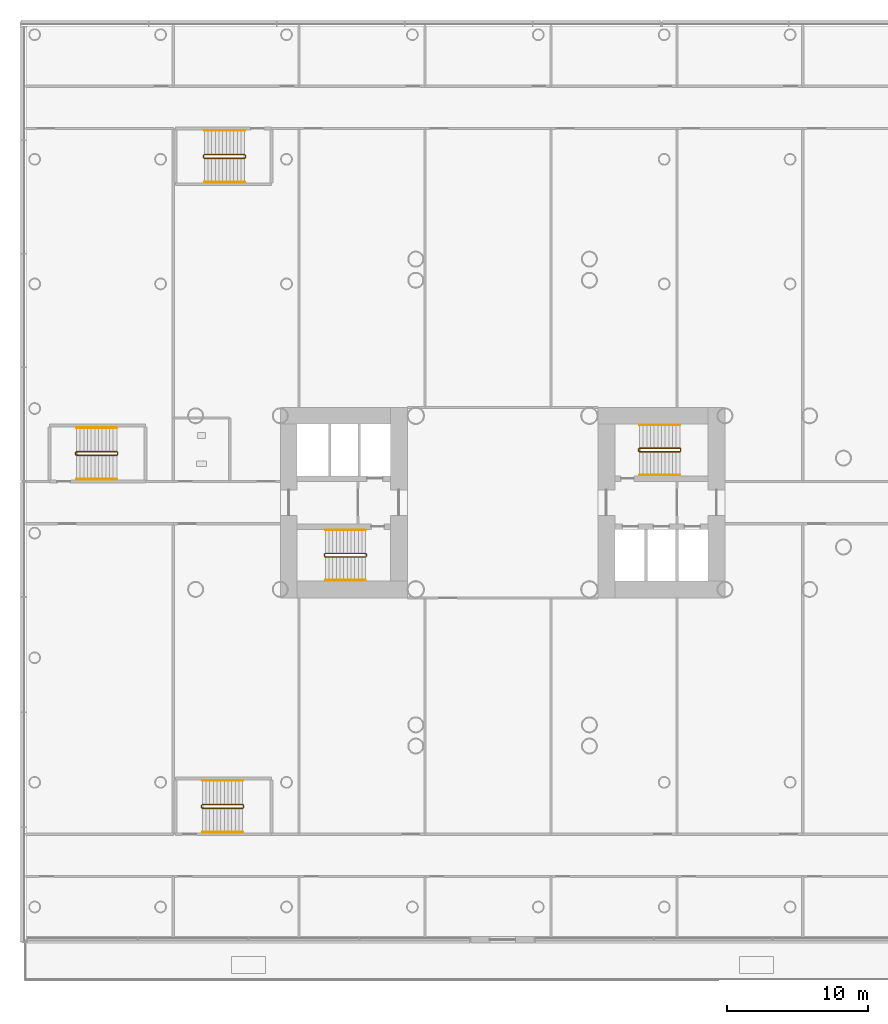
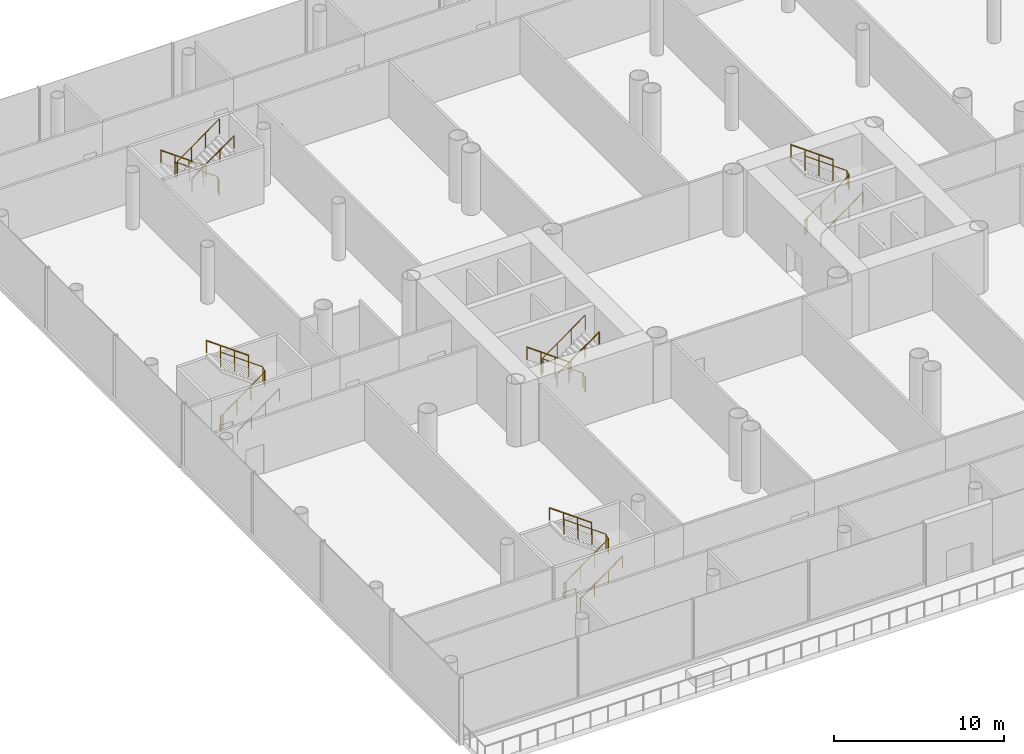
# One storey, part 46 of 49: 15 railings.
"""IFC4 building model written with IfcOpenShell, lengths in metres."""

from ifc_helpers import new_model, si_unit, direction, frame, origin, origin_2d, place, context, subcontext, project, spatial, circle, extrude, material, type_object, element, save


model = new_model("IFC4")

# Units and contexts
model_context = context("Model", 3, precision=1e-05, world=origin(), true_north=direction((0.0, 1.0)))
body_context = subcontext(model_context, "Body", "Model", "MODEL_VIEW")
ifc_project = project(units=[si_unit("LENGTHUNIT", "METRE"), si_unit("AREAUNIT", "SQUARE_METRE"), si_unit("VOLUMEUNIT", "CUBIC_METRE"), si_unit("PLANEANGLEUNIT", "RADIAN"), si_unit("MASSUNIT", "GRAM", prefix="KILO")], contexts=[model_context])

# Site, building, storey
site_placement = place(None, origin())
site = spatial("IfcSite", under=ifc_project, at=site_placement, CompositionType="ELEMENT")
building_placement = place(site_placement, origin())
building = spatial("IfcBuilding", under=site, at=building_placement, Name="Ipe Terrace Towers", CompositionType="ELEMENT")
storey_placement = place(building_placement, frame((0.0, 0.0, 20.0)))
storey = spatial("IfcBuildingStorey", under=building, at=storey_placement, Name="L04", CompositionType="ELEMENT", Elevation=20.0)

# Railings
ifc_material_1 = material(Name="Steel S355", Category="steel")
railing_type_1 = type_object("IfcRailingType", Name="Stair guard 1100", PredefinedType="GUARDRAIL", material=ifc_material_1)
railing_1_placement = place(storey_placement, frame((-26.35009765625, 3.800048828125, 0.0)))
element("IfcRailing", 1, at=railing_1_placement, inside=storey, type_object=railing_type_1, Name="L04 T1-ST1 stair guard 1", PredefinedType="GUARDRAIL", context=body_context, shape_type="SweptSolid", body=[
    extrude(circle(Radius=0.02392578125, at=origin_2d()), frame((0.0, 0.0, 1.076171875), z_axis=(0.0, -1.0, 0.0), x_axis=(1.0, 0.0, 0.0)), (0.0, 0.0, 1.0), 0.150146484375),
    extrude(circle(Radius=0.02392578125, at=origin_2d()), frame((0.0, -0.150146484375, 1.076171875), z_axis=(0.249802250048, -0.248583702486, 0.935844527007), x_axis=(0.705375805398, 0.708833529934, 0.0)), (0.0, 0.0, 1.0), 0.200439453125),
    extrude(circle(Radius=0.02392578125, at=origin_2d()), frame((0.050048828125, -0.199951171875, 1.263671875), z_axis=(0.811100754333, 0.0, 0.584906459462), x_axis=(0.0, 1.0, 0.0)), (0.0, 0.0, 1.0), 3.526123046875),
    extrude(circle(Radius=0.02392578125, at=origin_2d()), frame((2.91015625, -0.199951171875, 3.326171875), z_axis=(0.708833529934, 0.705375805398, 0.0), x_axis=(-0.705375805398, 0.708833529934, 0.0)), (0.0, 0.0, 1.0), 0.070556640625),
    extrude(circle(Radius=0.02392578125, at=origin_2d()), frame((2.960205078125, -0.150146484375, 3.326171875), z_axis=(0.0, 1.0, 0.0), x_axis=(-1.0, 0.0, 0.0)), (0.0, 0.0, 1.0), 0.150146484375),
    extrude(circle(Radius=0.02392578125, at=origin_2d()), frame((2.960205078125, 0.0, 3.326171875), z_axis=(-0.249726431254, 0.249726431254, 0.935560483917), x_axis=(-0.707106781187, -0.707106781187, 0.0)), (0.0, 0.0, 1.0), 0.200439453125),
    extrude(circle(Radius=0.02392578125, at=origin_2d()), frame((2.91015625, 0.050048828125, 3.513671875), z_axis=(-0.811100754333, 0.0, 0.584906459462), x_axis=(0.0, -1.0, 0.0)), (0.0, 0.0, 1.0), 3.526123046875),
    extrude(circle(Radius=0.02099609375, at=origin_2d()), origin(), (0.0, 0.0, 1.0), 1.052001953125),
    extrude(circle(Radius=0.02099609375, at=origin_2d()), frame((0.0, -0.150146484375, 0.0)), (0.0, 0.0, 1.0), 1.052001953125),
    extrude(circle(Radius=0.02099609375, at=origin_2d()), frame((0.050048828125, -0.199951171875, 0.1875)), (0.0, 0.0, 1.0), 1.052001953125),
    extrude(circle(Radius=0.02099609375, at=origin_2d()), frame((1.00341796875, -0.199951171875, 0.875)), (0.0, 0.0, 1.0), 1.052001953125),
    extrude(circle(Radius=0.02099609375, at=origin_2d()), frame((1.956787109375, -0.199951171875, 1.5625)), (0.0, 0.0, 1.0), 1.052001953125),
    extrude(circle(Radius=0.02099609375, at=origin_2d()), frame((2.91015625, -0.199951171875, 2.25)), (0.0, 0.0, 1.0), 1.052001953125),
    extrude(circle(Radius=0.02099609375, at=origin_2d()), frame((2.960205078125, -0.150146484375, 2.25)), (0.0, 0.0, 1.0), 1.052001953125),
    extrude(circle(Radius=0.02099609375, at=origin_2d()), frame((2.960205078125, 0.0, 2.25)), (0.0, 0.0, 1.0), 1.052001953125),
    extrude(circle(Radius=0.02099609375, at=origin_2d()), frame((2.91015625, 0.050048828125, 2.4375)), (0.0, 0.0, 1.0), 1.052001953125),
    extrude(circle(Radius=0.02099609375, at=origin_2d()), frame((1.956787109375, 0.050048828125, 3.125)), (0.0, 0.0, 1.0), 1.052001953125),
    extrude(circle(Radius=0.02099609375, at=origin_2d()), frame((1.00341796875, 0.050048828125, 3.8125)), (0.0, 0.0, 1.0), 1.052001953125),
    extrude(circle(Radius=0.02099609375, at=origin_2d()), frame((0.050048828125, 0.050048828125, 4.5)), (0.0, 0.0, 1.0), 1.052001953125),
])
railing_2_placement = place(storey_placement, frame((-45.64990234375, -3.800048828125, 0.0)))
element("IfcRailing", 2, at=railing_2_placement, inside=storey, type_object=railing_type_1, Name="L04 T1-ST2 stair guard 1", PredefinedType="GUARDRAIL", context=body_context, shape_type="SweptSolid", body=[
    extrude(circle(Radius=0.02392578125, at=origin_2d()), frame((0.0, 0.0, 1.076171875), z_axis=(0.0, 1.0, 0.0), x_axis=(-1.0, 0.0, 0.0)), (0.0, 0.0, 1.0), 0.150146484375),
    extrude(circle(Radius=0.02392578125, at=origin_2d()), frame((0.0, 0.150146484375, 1.076171875), z_axis=(-0.249802250048, 0.248583702486, 0.935844527007), x_axis=(-0.705375805398, -0.708833529934, 0.0)), (0.0, 0.0, 1.0), 0.200439453125),
    extrude(circle(Radius=0.02392578125, at=origin_2d()), frame((-0.050048828125, 0.199951171875, 1.263671875), z_axis=(-0.811100754333, 0.0, 0.584906459462), x_axis=(0.0, -1.0, 0.0)), (0.0, 0.0, 1.0), 3.526123046875),
    extrude(circle(Radius=0.02392578125, at=origin_2d()), frame((-2.91015625, 0.199951171875, 3.326171875), z_axis=(-0.708833529934, -0.705375805398, 0.0), x_axis=(0.705375805398, -0.708833529934, 0.0)), (0.0, 0.0, 1.0), 0.070556640625),
    extrude(circle(Radius=0.02392578125, at=origin_2d()), frame((-2.960205078125, 0.150146484375, 3.326171875), z_axis=(0.0, -1.0, 0.0), x_axis=(1.0, 0.0, 0.0)), (0.0, 0.0, 1.0), 0.150146484375),
    extrude(circle(Radius=0.02392578125, at=origin_2d()), frame((-2.960205078125, 0.0, 3.326171875), z_axis=(0.249726431254, -0.249726431254, 0.935560483917), x_axis=(0.707106781187, 0.707106781187, 0.0)), (0.0, 0.0, 1.0), 0.200439453125),
    extrude(circle(Radius=0.02392578125, at=origin_2d()), frame((-2.91015625, -0.050048828125, 3.513671875), z_axis=(0.811100754333, 0.0, 0.584906459462), x_axis=(0.0, 1.0, 0.0)), (0.0, 0.0, 1.0), 3.526123046875),
    extrude(circle(Radius=0.02099609375, at=origin_2d()), origin(), (0.0, 0.0, 1.0), 1.052001953125),
    extrude(circle(Radius=0.02099609375, at=origin_2d()), frame((0.0, 0.150146484375, 0.0)), (0.0, 0.0, 1.0), 1.052001953125),
    extrude(circle(Radius=0.02099609375, at=origin_2d()), frame((-0.050048828125, 0.199951171875, 0.1875)), (0.0, 0.0, 1.0), 1.052001953125),
    extrude(circle(Radius=0.02099609375, at=origin_2d()), frame((-1.00341796875, 0.199951171875, 0.875)), (0.0, 0.0, 1.0), 1.052001953125),
    extrude(circle(Radius=0.02099609375, at=origin_2d()), frame((-1.956787109375, 0.199951171875, 1.5625)), (0.0, 0.0, 1.0), 1.052001953125),
    extrude(circle(Radius=0.02099609375, at=origin_2d()), frame((-2.91015625, 0.199951171875, 2.25)), (0.0, 0.0, 1.0), 1.052001953125),
    extrude(circle(Radius=0.02099609375, at=origin_2d()), frame((-2.960205078125, 0.150146484375, 2.25)), (0.0, 0.0, 1.0), 1.052001953125),
    extrude(circle(Radius=0.02099609375, at=origin_2d()), frame((-2.960205078125, 0.0, 2.25)), (0.0, 0.0, 1.0), 1.052001953125),
    extrude(circle(Radius=0.02099609375, at=origin_2d()), frame((-2.91015625, -0.050048828125, 2.4375)), (0.0, 0.0, 1.0), 1.052001953125),
    extrude(circle(Radius=0.02099609375, at=origin_2d()), frame((-1.956787109375, -0.050048828125, 3.125)), (0.0, 0.0, 1.0), 1.052001953125),
    extrude(circle(Radius=0.02099609375, at=origin_2d()), frame((-1.00341796875, -0.050048828125, 3.8125)), (0.0, 0.0, 1.0), 1.052001953125),
    extrude(circle(Radius=0.02099609375, at=origin_2d()), frame((-0.050048828125, -0.050048828125, 4.5)), (0.0, 0.0, 1.0), 1.052001953125),
])
railing_3_placement = place(storey_placement, frame((-54.219970703125, 24.449951171875, 0.0)))
element("IfcRailing", 3, at=railing_3_placement, inside=storey, type_object=railing_type_1, Name="L04 PS1 stair guard 1", PredefinedType="GUARDRAIL", context=body_context, shape_type="SweptSolid", body=[
    extrude(circle(Radius=0.02392578125, at=origin_2d()), frame((0.0, 0.0, 1.076171875), z_axis=(0.0, 1.0, 0.0), x_axis=(-1.0, 0.0, 0.0)), (0.0, 0.0, 1.0), 0.150146484375),
    extrude(circle(Radius=0.02392578125, at=origin_2d()), frame((0.0, 0.150146484375, 1.076171875), z_axis=(-0.249802250048, 0.248583702486, 0.935844527007), x_axis=(-0.705375805398, -0.708833529934, 0.0)), (0.0, 0.0, 1.0), 0.200439453125),
    extrude(circle(Radius=0.02392578125, at=origin_2d()), frame((-0.050048828125, 0.199951171875, 1.263671875), z_axis=(-0.811077065594, 0.0, 0.584939307678), x_axis=(0.0, -1.0, 0.0)), (0.0, 0.0, 1.0), 3.526123046875),
    extrude(circle(Radius=0.02392578125, at=origin_2d()), frame((-2.909912109375, 0.199951171875, 3.326171875), z_axis=(-0.708833529934, -0.705375805398, 0.0), x_axis=(0.705375805398, -0.708833529934, 0.0)), (0.0, 0.0, 1.0), 0.070556640625),
    extrude(circle(Radius=0.02392578125, at=origin_2d()), frame((-2.9599609375, 0.150146484375, 3.326171875), z_axis=(0.0, -1.0, 0.0), x_axis=(1.0, 0.0, 0.0)), (0.0, 0.0, 1.0), 0.150146484375),
    extrude(circle(Radius=0.02392578125, at=origin_2d()), frame((-2.9599609375, 0.0, 3.326171875), z_axis=(0.249726431254, -0.249726431254, 0.935560483917), x_axis=(0.707106781187, 0.707106781187, 0.0)), (0.0, 0.0, 1.0), 0.200439453125),
    extrude(circle(Radius=0.02392578125, at=origin_2d()), frame((-2.909912109375, -0.050048828125, 3.513671875), z_axis=(0.811077065594, 0.0, 0.584939307678), x_axis=(0.0, 1.0, 0.0)), (0.0, 0.0, 1.0), 3.526123046875),
    extrude(circle(Radius=0.02099609375, at=origin_2d()), origin(), (0.0, 0.0, 1.0), 1.052001953125),
    extrude(circle(Radius=0.02099609375, at=origin_2d()), frame((0.0, 0.150146484375, 0.0)), (0.0, 0.0, 1.0), 1.052001953125),
    extrude(circle(Radius=0.02099609375, at=origin_2d()), frame((-0.050048828125, 0.199951171875, 0.1875)), (0.0, 0.0, 1.0), 1.052001953125),
    extrude(circle(Radius=0.02099609375, at=origin_2d()), frame((-1.00341796875, 0.199951171875, 0.875)), (0.0, 0.0, 1.0), 1.052001953125),
    extrude(circle(Radius=0.02099609375, at=origin_2d()), frame((-1.95654296875, 0.199951171875, 1.5625)), (0.0, 0.0, 1.0), 1.052001953125),
    extrude(circle(Radius=0.02099609375, at=origin_2d()), frame((-2.909912109375, 0.199951171875, 2.25)), (0.0, 0.0, 1.0), 1.052001953125),
    extrude(circle(Radius=0.02099609375, at=origin_2d()), frame((-2.9599609375, 0.150146484375, 2.25)), (0.0, 0.0, 1.0), 1.052001953125),
    extrude(circle(Radius=0.02099609375, at=origin_2d()), frame((-2.9599609375, 0.0, 2.25)), (0.0, 0.0, 1.0), 1.052001953125),
    extrude(circle(Radius=0.02099609375, at=origin_2d()), frame((-2.909912109375, -0.050048828125, 2.4375)), (0.0, 0.0, 1.0), 1.052001953125),
    extrude(circle(Radius=0.02099609375, at=origin_2d()), frame((-1.95654296875, -0.050048828125, 3.125)), (0.0, 0.0, 1.0), 1.052001953125),
    extrude(circle(Radius=0.02099609375, at=origin_2d()), frame((-1.00341796875, -0.050048828125, 3.8125)), (0.0, 0.0, 1.0), 1.052001953125),
    extrude(circle(Radius=0.02099609375, at=origin_2d()), frame((-0.050048828125, -0.050048828125, 4.5)), (0.0, 0.0, 1.0), 1.052001953125),
])
railing_4_placement = place(storey_placement, frame((-57.320068359375, -21.449951171875, 0.0)))
element("IfcRailing", 4, at=railing_4_placement, inside=storey, type_object=railing_type_1, Name="L04 PS4 stair guard 1", PredefinedType="GUARDRAIL", context=body_context, shape_type="SweptSolid", body=[
    extrude(circle(Radius=0.02392578125, at=origin_2d()), frame((0.0, 0.0, 1.076171875), z_axis=(0.0, -1.0, 0.0), x_axis=(1.0, 0.0, 0.0)), (0.0, 0.0, 1.0), 0.150146484375),
    extrude(circle(Radius=0.02392578125, at=origin_2d()), frame((0.0, -0.150146484375, 1.076171875), z_axis=(0.249802250048, -0.248583702486, 0.935844527007), x_axis=(0.705375805398, 0.708833529934, 0.0)), (0.0, 0.0, 1.0), 0.200439453125),
    extrude(circle(Radius=0.02392578125, at=origin_2d()), frame((0.050048828125, -0.199951171875, 1.263671875), z_axis=(0.811100754333, 0.0, 0.584906459462), x_axis=(0.0, 1.0, 0.0)), (0.0, 0.0, 1.0), 3.526123046875),
    extrude(circle(Radius=0.02392578125, at=origin_2d()), frame((2.91015625, -0.199951171875, 3.326171875), z_axis=(0.707106781187, 0.707106781187, 0.0), x_axis=(-0.707106781187, 0.707106781187, 0.0)), (0.0, 0.0, 1.0), 0.0703125),
    extrude(circle(Radius=0.02392578125, at=origin_2d()), frame((2.9599609375, -0.150146484375, 3.326171875), z_axis=(0.0, 1.0, 0.0), x_axis=(-1.0, 0.0, 0.0)), (0.0, 0.0, 1.0), 0.150146484375),
    extrude(circle(Radius=0.02392578125, at=origin_2d()), frame((2.9599609375, 0.0, 3.326171875), z_axis=(-0.248583702486, 0.249802250048, 0.935844527007), x_axis=(-0.708833529934, -0.705375805398, 0.0)), (0.0, 0.0, 1.0), 0.200439453125),
    extrude(circle(Radius=0.02392578125, at=origin_2d()), frame((2.91015625, 0.050048828125, 3.513671875), z_axis=(-0.811100754333, 0.0, 0.584906459462), x_axis=(0.0, -1.0, 0.0)), (0.0, 0.0, 1.0), 3.526123046875),
    extrude(circle(Radius=0.02099609375, at=origin_2d()), origin(), (0.0, 0.0, 1.0), 1.052001953125),
    extrude(circle(Radius=0.02099609375, at=origin_2d()), frame((0.0, -0.150146484375, 0.0)), (0.0, 0.0, 1.0), 1.052001953125),
    extrude(circle(Radius=0.02099609375, at=origin_2d()), frame((0.050048828125, -0.199951171875, 0.1875)), (0.0, 0.0, 1.0), 1.052001953125),
    extrude(circle(Radius=0.02099609375, at=origin_2d()), frame((1.00341796875, -0.199951171875, 0.875)), (0.0, 0.0, 1.0), 1.052001953125),
    extrude(circle(Radius=0.02099609375, at=origin_2d()), frame((1.956787109375, -0.199951171875, 1.5625)), (0.0, 0.0, 1.0), 1.052001953125),
    extrude(circle(Radius=0.02099609375, at=origin_2d()), frame((2.91015625, -0.199951171875, 2.25)), (0.0, 0.0, 1.0), 1.052001953125),
    extrude(circle(Radius=0.02099609375, at=origin_2d()), frame((2.9599609375, -0.150146484375, 2.25)), (0.0, 0.0, 1.0), 1.052001953125),
    extrude(circle(Radius=0.02099609375, at=origin_2d()), frame((2.9599609375, 0.0, 2.25)), (0.0, 0.0, 1.0), 1.052001953125),
    extrude(circle(Radius=0.02099609375, at=origin_2d()), frame((2.91015625, 0.050048828125, 2.4375)), (0.0, 0.0, 1.0), 1.052001953125),
    extrude(circle(Radius=0.02099609375, at=origin_2d()), frame((1.956787109375, 0.050048828125, 3.125)), (0.0, 0.0, 1.0), 1.052001953125),
    extrude(circle(Radius=0.02099609375, at=origin_2d()), frame((1.00341796875, 0.050048828125, 3.8125)), (0.0, 0.0, 1.0), 1.052001953125),
    extrude(circle(Radius=0.02099609375, at=origin_2d()), frame((0.050048828125, 0.050048828125, 4.5)), (0.0, 0.0, 1.0), 1.052001953125),
])
railing_5_placement = place(storey_placement, frame((-66.239990234375, 3.550048828125, 0.0)))
element("IfcRailing", 5, at=railing_5_placement, inside=storey, type_object=railing_type_1, Name="L04 PS7 stair guard 1", PredefinedType="GUARDRAIL", context=body_context, shape_type="SweptSolid", body=[
    extrude(circle(Radius=0.02392578125, at=origin_2d()), frame((0.0, 0.0, 1.076171875), z_axis=(0.0, -1.0, 0.0), x_axis=(1.0, 0.0, 0.0)), (0.0, 0.0, 1.0), 0.150146484375),
    extrude(circle(Radius=0.02392578125, at=origin_2d()), frame((0.0, -0.150146484375, 1.076171875), z_axis=(0.249802250048, -0.248583702486, 0.935844527007), x_axis=(0.705375805398, 0.708833529934, 0.0)), (0.0, 0.0, 1.0), 0.200439453125),
    extrude(circle(Radius=0.02392578125, at=origin_2d()), frame((0.050048828125, -0.199951171875, 1.263671875), z_axis=(0.811077065594, 0.0, 0.584939307678), x_axis=(0.0, 1.0, 0.0)), (0.0, 0.0, 1.0), 3.526123046875),
    extrude(circle(Radius=0.02392578125, at=origin_2d()), frame((2.909912109375, -0.199951171875, 3.326171875), z_axis=(0.708833529934, 0.705375805398, 0.0), x_axis=(-0.705375805398, 0.708833529934, 0.0)), (0.0, 0.0, 1.0), 0.070556640625),
    extrude(circle(Radius=0.02392578125, at=origin_2d()), frame((2.9599609375, -0.150146484375, 3.326171875), z_axis=(0.0, 1.0, 0.0), x_axis=(-1.0, 0.0, 0.0)), (0.0, 0.0, 1.0), 0.150146484375),
    extrude(circle(Radius=0.02392578125, at=origin_2d()), frame((2.9599609375, 0.0, 3.326171875), z_axis=(-0.249726431254, 0.249726431254, 0.935560483917), x_axis=(-0.707106781187, -0.707106781187, 0.0)), (0.0, 0.0, 1.0), 0.200439453125),
    extrude(circle(Radius=0.02392578125, at=origin_2d()), frame((2.909912109375, 0.050048828125, 3.513671875), z_axis=(-0.811077065594, 0.0, 0.584939307678), x_axis=(0.0, -1.0, 0.0)), (0.0, 0.0, 1.0), 3.526123046875),
    extrude(circle(Radius=0.02099609375, at=origin_2d()), origin(), (0.0, 0.0, 1.0), 1.052001953125),
    extrude(circle(Radius=0.02099609375, at=origin_2d()), frame((0.0, -0.150146484375, 0.0)), (0.0, 0.0, 1.0), 1.052001953125),
    extrude(circle(Radius=0.02099609375, at=origin_2d()), frame((0.050048828125, -0.199951171875, 0.1875)), (0.0, 0.0, 1.0), 1.052001953125),
    extrude(circle(Radius=0.02099609375, at=origin_2d()), frame((1.00341796875, -0.199951171875, 0.875)), (0.0, 0.0, 1.0), 1.052001953125),
    extrude(circle(Radius=0.02099609375, at=origin_2d()), frame((1.95654296875, -0.199951171875, 1.5625)), (0.0, 0.0, 1.0), 1.052001953125),
    extrude(circle(Radius=0.02099609375, at=origin_2d()), frame((2.909912109375, -0.199951171875, 2.25)), (0.0, 0.0, 1.0), 1.052001953125),
    extrude(circle(Radius=0.02099609375, at=origin_2d()), frame((2.9599609375, -0.150146484375, 2.25)), (0.0, 0.0, 1.0), 1.052001953125),
    extrude(circle(Radius=0.02099609375, at=origin_2d()), frame((2.9599609375, 0.0, 2.25)), (0.0, 0.0, 1.0), 1.052001953125),
    extrude(circle(Radius=0.02099609375, at=origin_2d()), frame((2.909912109375, 0.050048828125, 2.4375)), (0.0, 0.0, 1.0), 1.052001953125),
    extrude(circle(Radius=0.02099609375, at=origin_2d()), frame((1.95654296875, 0.050048828125, 3.125)), (0.0, 0.0, 1.0), 1.052001953125),
    extrude(circle(Radius=0.02099609375, at=origin_2d()), frame((1.00341796875, 0.050048828125, 3.8125)), (0.0, 0.0, 1.0), 1.052001953125),
    extrude(circle(Radius=0.02099609375, at=origin_2d()), frame((0.050048828125, 0.050048828125, 4.5)), (0.0, 0.0, 1.0), 1.052001953125),
])
ifc_material_2 = material(Name="Stainless steel grade 304", Category="steel")
railing_type_2 = type_object("IfcRailingType", Name="Stair handrail 900", PredefinedType="HANDRAIL", material=ifc_material_2)
railing_6_placement = place(storey_placement, frame((-26.300048828125, 1.949951171875, 0.1875)))
element("IfcRailing", 6, at=railing_6_placement, inside=storey, type_object=railing_type_2, Name="L04 T1-ST1 stair handrail 1", PredefinedType="HANDRAIL", context=body_context, shape_type="SweptSolid", body=[
    extrude(circle(Radius=0.02392578125, at=origin_2d()), frame((0.0, 0.0, 0.8759765625), z_axis=(0.811100754333, 0.0, 0.584906459462), x_axis=(0.0, 1.0, 0.0)), (0.0, 0.0, 1.0), 3.526123046875),
    extrude(circle(Radius=0.02099609375, at=origin_2d()), origin(), (0.0, 0.0, 1.0), 0.851806640625),
    extrude(circle(Radius=0.02099609375, at=origin_2d()), frame((0.953369140625, 0.0, 0.6875)), (0.0, 0.0, 1.0), 0.851806640625),
    extrude(circle(Radius=0.02099609375, at=origin_2d()), frame((1.90673828125, 0.0, 1.375)), (0.0, 0.0, 1.0), 0.851806640625),
    extrude(circle(Radius=0.02099609375, at=origin_2d()), frame((2.860107421875, 0.0, 2.0625)), (0.0, 0.0, 1.0), 0.851806640625),
])
for number, where, name in (
    (7, (-23.43994140625, 5.5, 2.4375), "L04 T1-ST1 stair handrail 2"),
    (8, (-45.699951171875, -1.949951171875, 0.1875), "L04 T1-ST2 stair handrail 1"),
):
    element("IfcRailing", number, at=place(storey_placement, frame(where)), inside=storey, type_object=railing_type_2, Name=name, PredefinedType="HANDRAIL", context=body_context, shape_type="SweptSolid", body=[
        extrude(circle(Radius=0.02392578125, at=origin_2d()), frame((0.0, 0.0, 0.8759765625), z_axis=(-0.811100754333, 0.0, 0.584906459462), x_axis=(0.0, -1.0, 0.0)), (0.0, 0.0, 1.0), 3.526123046875),
        extrude(circle(Radius=0.02099609375, at=origin_2d()), origin(), (0.0, 0.0, 1.0), 0.851806640625),
        extrude(circle(Radius=0.02099609375, at=origin_2d()), frame((-0.953369140625, 0.0, 0.6875)), (0.0, 0.0, 1.0), 0.851806640625),
        extrude(circle(Radius=0.02099609375, at=origin_2d()), frame((-1.90673828125, 0.0, 1.375)), (0.0, 0.0, 1.0), 0.851806640625),
        extrude(circle(Radius=0.02099609375, at=origin_2d()), frame((-2.860107421875, 0.0, 2.0625)), (0.0, 0.0, 1.0), 0.851806640625),
    ])
railing_7_placement = place(storey_placement, frame((-48.56005859375, -5.5, 2.4375)))
element("IfcRailing", 9, at=railing_7_placement, inside=storey, type_object=railing_type_2, Name="L04 T1-ST2 stair handrail 2", PredefinedType="HANDRAIL", context=body_context, shape_type="SweptSolid", body=[
    extrude(circle(Radius=0.02392578125, at=origin_2d()), frame((0.0, 0.0, 0.8759765625), z_axis=(0.811100754333, 0.0, 0.584906459462), x_axis=(0.0, 1.0, 0.0)), (0.0, 0.0, 1.0), 3.526123046875),
    extrude(circle(Radius=0.02099609375, at=origin_2d()), origin(), (0.0, 0.0, 1.0), 0.851806640625),
    extrude(circle(Radius=0.02099609375, at=origin_2d()), frame((0.953369140625, 0.0, 0.6875)), (0.0, 0.0, 1.0), 0.851806640625),
    extrude(circle(Radius=0.02099609375, at=origin_2d()), frame((1.90673828125, 0.0, 1.375)), (0.0, 0.0, 1.0), 0.851806640625),
    extrude(circle(Radius=0.02099609375, at=origin_2d()), frame((2.860107421875, 0.0, 2.0625)), (0.0, 0.0, 1.0), 0.851806640625),
])
railing_8_placement = place(storey_placement, frame((-54.27001953125, 26.35009765625, 0.1875)))
element("IfcRailing", 10, at=railing_8_placement, inside=storey, type_object=railing_type_2, Name="L04 PS1 stair handrail 1", PredefinedType="HANDRAIL", context=body_context, shape_type="SweptSolid", body=[
    extrude(circle(Radius=0.02392578125, at=origin_2d()), frame((0.0, 0.0, 0.8759765625), z_axis=(-0.811077065594, 0.0, 0.584939307678), x_axis=(0.0, -1.0, 0.0)), (0.0, 0.0, 1.0), 3.526123046875),
    extrude(circle(Radius=0.02099609375, at=origin_2d()), origin(), (0.0, 0.0, 1.0), 0.851806640625),
    extrude(circle(Radius=0.02099609375, at=origin_2d()), frame((-0.953369140625, 0.0, 0.6875)), (0.0, 0.0, 1.0), 0.851806640625),
    extrude(circle(Radius=0.02099609375, at=origin_2d()), frame((-1.906494140625, 0.0, 1.375)), (0.0, 0.0, 1.0), 0.851806640625),
    extrude(circle(Radius=0.02099609375, at=origin_2d()), frame((-2.85986328125, 0.0, 2.0625)), (0.0, 0.0, 1.0), 0.851806640625),
])
railing_9_placement = place(storey_placement, frame((-57.1298828125, 22.699951171875, 2.4375)))
element("IfcRailing", 11, at=railing_9_placement, inside=storey, type_object=railing_type_2, Name="L04 PS1 stair handrail 2", PredefinedType="HANDRAIL", context=body_context, shape_type="SweptSolid", body=[
    extrude(circle(Radius=0.02392578125, at=origin_2d()), frame((0.0, 0.0, 0.8759765625), z_axis=(0.811077065594, 0.0, 0.584939307678), x_axis=(0.0, 1.0, 0.0)), (0.0, 0.0, 1.0), 3.526123046875),
    extrude(circle(Radius=0.02099609375, at=origin_2d()), origin(), (0.0, 0.0, 1.0), 0.851806640625),
    extrude(circle(Radius=0.02099609375, at=origin_2d()), frame((0.953369140625, 0.0, 0.6875)), (0.0, 0.0, 1.0), 0.851806640625),
    extrude(circle(Radius=0.02099609375, at=origin_2d()), frame((1.906494140625, 0.0, 1.375)), (0.0, 0.0, 1.0), 0.851806640625),
    extrude(circle(Radius=0.02099609375, at=origin_2d()), frame((2.85986328125, 0.0, 2.0625)), (0.0, 0.0, 1.0), 0.851806640625),
])
railing_10_placement = place(storey_placement, frame((-57.27001953125, -23.35009765625, 0.1875)))
element("IfcRailing", 12, at=railing_10_placement, inside=storey, type_object=railing_type_2, Name="L04 PS4 stair handrail 1", PredefinedType="HANDRAIL", context=body_context, shape_type="SweptSolid", body=[
    extrude(circle(Radius=0.02392578125, at=origin_2d()), frame((0.0, 0.0, 0.8759765625), z_axis=(0.811100754333, 0.0, 0.584906459462), x_axis=(0.0, 1.0, 0.0)), (0.0, 0.0, 1.0), 3.526123046875),
    extrude(circle(Radius=0.02099609375, at=origin_2d()), origin(), (0.0, 0.0, 1.0), 0.851806640625),
    extrude(circle(Radius=0.02099609375, at=origin_2d()), frame((0.953369140625, 0.0, 0.6875)), (0.0, 0.0, 1.0), 0.851806640625),
    extrude(circle(Radius=0.02099609375, at=origin_2d()), frame((1.90673828125, 0.0, 1.375)), (0.0, 0.0, 1.0), 0.851806640625),
    extrude(circle(Radius=0.02099609375, at=origin_2d()), frame((2.860107421875, 0.0, 2.0625)), (0.0, 0.0, 1.0), 0.851806640625),
])
railing_11_placement = place(storey_placement, frame((-54.409912109375, -19.699951171875, 2.4375)))
element("IfcRailing", 13, at=railing_11_placement, inside=storey, type_object=railing_type_2, Name="L04 PS4 stair handrail 2", PredefinedType="HANDRAIL", context=body_context, shape_type="SweptSolid", body=[
    extrude(circle(Radius=0.02392578125, at=origin_2d()), frame((0.0, 0.0, 0.8759765625), z_axis=(-0.811100754333, 0.0, 0.584906459462), x_axis=(0.0, -1.0, 0.0)), (0.0, 0.0, 1.0), 3.526123046875),
    extrude(circle(Radius=0.02099609375, at=origin_2d()), origin(), (0.0, 0.0, 1.0), 0.851806640625),
    extrude(circle(Radius=0.02099609375, at=origin_2d()), frame((-0.953369140625, 0.0, 0.6875)), (0.0, 0.0, 1.0), 0.851806640625),
    extrude(circle(Radius=0.02099609375, at=origin_2d()), frame((-1.90673828125, 0.0, 1.375)), (0.0, 0.0, 1.0), 0.851806640625),
    extrude(circle(Radius=0.02099609375, at=origin_2d()), frame((-2.860107421875, 0.0, 2.0625)), (0.0, 0.0, 1.0), 0.851806640625),
])
railing_12_placement = place(storey_placement, frame((-66.18994140625, 1.64990234375, 0.1875)))
element("IfcRailing", 14, at=railing_12_placement, inside=storey, type_object=railing_type_2, Name="L04 PS7 stair handrail 1", PredefinedType="HANDRAIL", context=body_context, shape_type="SweptSolid", body=[
    extrude(circle(Radius=0.02392578125, at=origin_2d()), frame((0.0, 0.0, 0.8759765625), z_axis=(0.811077065594, 0.0, 0.584939307678), x_axis=(0.0, 1.0, 0.0)), (0.0, 0.0, 1.0), 3.526123046875),
    extrude(circle(Radius=0.02099609375, at=origin_2d()), origin(), (0.0, 0.0, 1.0), 0.851806640625),
    extrude(circle(Radius=0.02099609375, at=origin_2d()), frame((0.953369140625, 0.0, 0.6875)), (0.0, 0.0, 1.0), 0.851806640625),
    extrude(circle(Radius=0.02099609375, at=origin_2d()), frame((1.906494140625, 0.0, 1.375)), (0.0, 0.0, 1.0), 0.851806640625),
    extrude(circle(Radius=0.02099609375, at=origin_2d()), frame((2.85986328125, 0.0, 2.0625)), (0.0, 0.0, 1.0), 0.851806640625),
])
railing_13_placement = place(storey_placement, frame((-63.330078125, 5.300048828125, 2.4375)))
element("IfcRailing", 15, at=railing_13_placement, inside=storey, type_object=railing_type_2, Name="L04 PS7 stair handrail 2", PredefinedType="HANDRAIL", context=body_context, shape_type="SweptSolid", body=[
    extrude(circle(Radius=0.02392578125, at=origin_2d()), frame((0.0, 0.0, 0.8759765625), z_axis=(-0.811077065594, 0.0, 0.584939307678), x_axis=(0.0, -1.0, 0.0)), (0.0, 0.0, 1.0), 3.526123046875),
    extrude(circle(Radius=0.02099609375, at=origin_2d()), origin(), (0.0, 0.0, 1.0), 0.851806640625),
    extrude(circle(Radius=0.02099609375, at=origin_2d()), frame((-0.953369140625, 0.0, 0.6875)), (0.0, 0.0, 1.0), 0.851806640625),
    extrude(circle(Radius=0.02099609375, at=origin_2d()), frame((-1.906494140625, 0.0, 1.375)), (0.0, 0.0, 1.0), 0.851806640625),
    extrude(circle(Radius=0.02099609375, at=origin_2d()), frame((-2.85986328125, 0.0, 2.0625)), (0.0, 0.0, 1.0), 0.851806640625),
])

save(model, "model.ifc")
